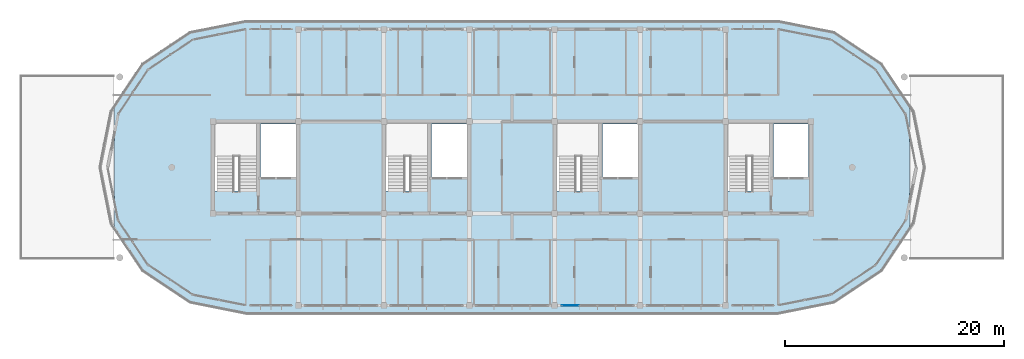
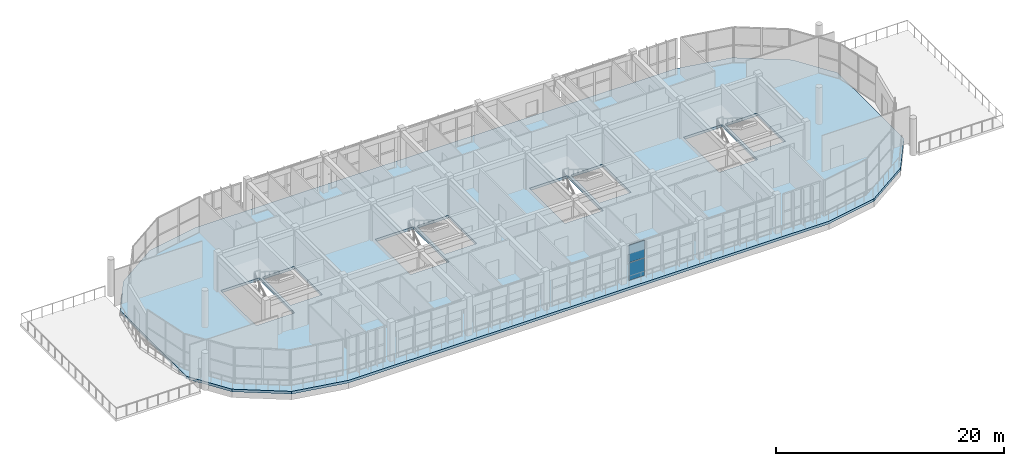
# One storey, part 33 of 44: 2 plates, 1 slab, 1 element without a shape of its own.
"""IFC4 building model written with IfcOpenShell, lengths in metres."""

from ifc_helpers import new_model, si_unit, direction, frame, origin, origin_2d, place, context, subcontext, project, spatial, polyline, rectangle, outline, extrude, material, layer, layer_set, type_object, element, aggregate, save


model = new_model("IFC4")

# Units and contexts
model_context = context("Model", 3, precision=1e-05, world=origin(), true_north=direction((0.0, 1.0)))
body_context = subcontext(model_context, "Body", "Model", "MODEL_VIEW")
ifc_project = project(units=[si_unit("LENGTHUNIT", "METRE"), si_unit("AREAUNIT", "SQUARE_METRE"), si_unit("VOLUMEUNIT", "CUBIC_METRE"), si_unit("PLANEANGLEUNIT", "RADIAN"), si_unit("MASSUNIT", "GRAM", prefix="KILO")], contexts=[model_context])

# Site, building, storey
site_placement = place(None, origin())
site = spatial("IfcSite", under=ifc_project, at=site_placement, CompositionType="ELEMENT")
building_placement = place(site_placement, origin())
building = spatial("IfcBuilding", under=site, at=building_placement, Name="Zizhar Promenade General Hospital", CompositionType="ELEMENT")
storey_placement = place(building_placement, frame((0.0, 0.0, 34.800048828125)))
storey = spatial("IfcBuildingStorey", under=building, at=storey_placement, Name="L08", CompositionType="ELEMENT", Elevation=34.800048828125)

# Curtain wall, plates
ifc_material_1 = material(Name="Anodised aluminium 6063-T6 and low-E glass", Category="aluminium")
ifc_layer_1 = layer(ifc_material_1, 0.159912109375)
ifc_layer_set_1 = layer_set([ifc_layer_1], Name="Anodised aluminium 6063-T6 and low-E glass")
curtain_wall_type = type_object("IfcCurtainWallType", Name="CW-WARD-RIB", PredefinedType="NOTDEFINED", material=ifc_layer_set_1)
curtain_wall_placement = place(storey_placement, origin())
curtain_wall = element("IfcCurtainWall", 1, at=curtain_wall_placement, inside=storey, type_object=curtain_wall_type, Name="Ward Ribbon Curtain Wall L08-17-2", PredefinedType="NOTDEFINED")
ifc_material_2 = material(Name="Low-E solar-control glass", Category="glass")
ifc_layer_2 = layer(ifc_material_2, 0.031982421875)
ifc_layer_set_2 = layer_set([ifc_layer_2], Name="Low-E solar-control glass")
plate_type = type_object("IfcPlateType", Name="CWP-GLZ-32", PredefinedType="CURTAIN_PANEL", material=ifc_layer_set_2)
plate_1_placement = place(storey_placement, frame((79.429931640625, 0.0, 0.06005859375), z_axis=(0.0, 0.0, 1.0), x_axis=(-1.0, 0.0, 0.0)))
plate_1 = element("IfcPlate", 2, at=plate_1_placement, type_object=plate_type, Name="CW-13 panel 4.1", PredefinedType="CURTAIN_PANEL", context=body_context, shape_type="SweptSolid", body=[
    extrude(rectangle(XDim=1.5400390625, YDim=0.031982421875, at=origin_2d()), origin(), (0.0, 0.0, 1.0), 1.860107421875),
])
plate_2_placement = place(storey_placement, frame((79.429931640625, 0.0, 1.97998046875), z_axis=(0.0, 0.0, 1.0), x_axis=(-1.0, 0.0, 0.0)))
plate_2 = element("IfcPlate", 3, at=plate_2_placement, type_object=plate_type, Name="CW-13 panel 4.2", PredefinedType="CURTAIN_PANEL", context=body_context, shape_type="SweptSolid", body=[
    extrude(rectangle(XDim=1.5400390625, YDim=0.031982421875, at=origin_2d()), origin(), (0.0, 0.0, 1.0), 1.860107421875),
])
aggregate(curtain_wall, [plate_1, plate_2])

# Slab
ifc_material_3 = material(Name="Concrete C35/45", Category="concrete")
ifc_layer_3 = layer(ifc_material_3, 0.280029296875)
ifc_layer_set_3 = layer_set([ifc_layer_3], Name="Concrete C35/45")
slab_type = type_object("IfcSlabType", Name="SLB-FLR-280", PredefinedType="FLOOR", material=ifc_layer_set_3)
slab_placement = place(storey_placement, frame((0.0, 0.0, -0.280029296875)))
element("IfcSlab", 4, at=slab_placement, inside=storey, type_object=slab_type, Name="Level L08 Inpatient Ward Pillow Floor Slab", PredefinedType="FLOOR", context=body_context, shape_type="SweptSolid", body=[
    extrude(outline(polyline([(44.65283203125, 25.026123046875), (49.800048828125, 26.050048828125), (98.39990234375, 26.050048828125), (103.547119140625, 25.026123046875), (107.91064453125, 22.110595703125), (110.3798828125, 18.414794921875), (110.3798828125, 6.78515625), (107.91064453125, 3.08935546875), (103.547119140625, 0.173828125), (98.39990234375, -0.85009765625), (49.800048828125, -0.85009765625), (44.65283203125, 0.173828125), (40.289306640625, 3.08935546875), (37.820068359375, 6.78515625), (37.820068359375, 18.414794921875), (40.289306640625, 22.110595703125), (44.65283203125, 25.026123046875)]), holes=[polyline([(46.97998046875, 10.429931640625), (46.97998046875, 16.6201171875), (50.8798828125, 16.6201171875), (50.8798828125, 10.429931640625), (46.97998046875, 10.429931640625)]), polyline([(51.14990234375, 11.6201171875), (51.14990234375, 16.580078125), (54.3798828125, 16.580078125), (54.3798828125, 11.6201171875), (51.14990234375, 11.6201171875)]), polyline([(62.580078125, 10.429931640625), (62.580078125, 16.6201171875), (66.47998046875, 16.6201171875), (66.47998046875, 10.429931640625), (62.580078125, 10.429931640625)]), polyline([(66.75, 11.6201171875), (66.75, 16.580078125), (69.97998046875, 16.580078125), (69.97998046875, 11.6201171875), (66.75, 11.6201171875)]), polyline([(78.179931640625, 10.429931640625), (78.179931640625, 16.6201171875), (82.080078125, 16.6201171875), (82.080078125, 10.429931640625), (78.179931640625, 10.429931640625)]), polyline([(82.35009765625, 11.6201171875), (82.35009765625, 16.580078125), (85.580078125, 16.580078125), (85.580078125, 11.6201171875), (82.35009765625, 11.6201171875)]), polyline([(93.780029296875, 10.429931640625), (93.780029296875, 16.6201171875), (97.679931640625, 16.6201171875), (97.679931640625, 10.429931640625), (93.780029296875, 10.429931640625)]), polyline([(97.949951171875, 11.6201171875), (97.949951171875, 16.580078125), (101.179931640625, 16.580078125), (101.179931640625, 11.6201171875), (97.949951171875, 11.6201171875)])]), origin(), (0.0, 0.0, 1.0), 0.280029296875),
])

save(model, "model.ifc")
